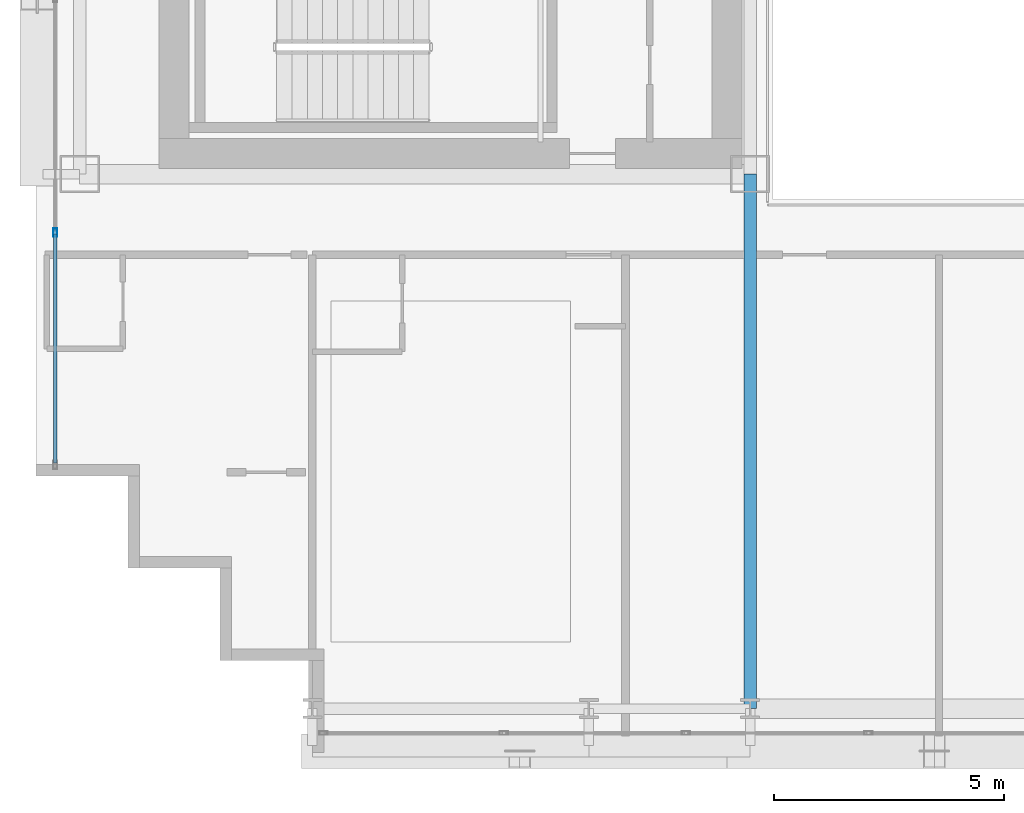
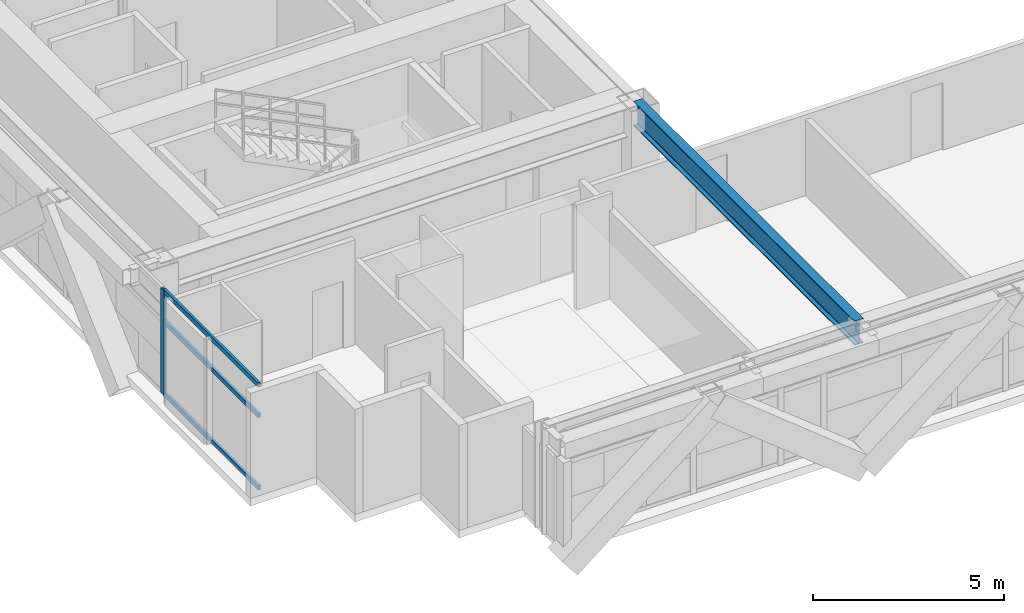
# One storey, part 3 of 35: 4 members, 1 beam, 1 element without a shape of its own.
"""IFC4 building model written with IfcOpenShell, lengths in metres."""

from ifc_helpers import new_model, si_unit, direction, frame, origin, origin_2d, place, context, subcontext, project, spatial, hollow_rectangle, i_section, extrude, source, transform, mapped, material, layer, layer_set, material_profile, profile_set, type_object, element, aggregate, save


model = new_model("IFC4")

# Units and contexts
model_context = context("Model", 3, precision=1e-05, world=origin(), true_north=direction((0.0, 1.0)))
body_context = subcontext(model_context, "Body", "Model", "MODEL_VIEW")
ifc_project = project(units=[si_unit("LENGTHUNIT", "METRE"), si_unit("AREAUNIT", "SQUARE_METRE"), si_unit("VOLUMEUNIT", "CUBIC_METRE"), si_unit("PLANEANGLEUNIT", "RADIAN"), si_unit("MASSUNIT", "GRAM", prefix="KILO")], contexts=[model_context])

# Site, building, storey
site_placement = place(None, origin())
site = spatial("IfcSite", under=ifc_project, at=site_placement, CompositionType="ELEMENT")
building_placement = place(site_placement, origin())
building = spatial("IfcBuilding", under=site, at=building_placement, Name="Ocotamira Hotel", CompositionType="ELEMENT")
storey_placement = place(building_placement, frame((0.0, 0.0, 140.39990234375)))
storey = spatial("IfcBuildingStorey", under=building, at=storey_placement, Name="L35", CompositionType="ELEMENT", Elevation=140.39990234375)

# Beam
ifc_material_1 = material(Name="Steel ASTM A992 Grade 50", Category="steel")
ifc_material_profile_1 = material_profile(ifc_material_1, i_section(OverallWidth=0.26611328125, OverallDepth=0.779052734375, WebThickness=0.0166015625, FlangeThickness=0.030029296875, FilletRadius=0.01806640625, at=origin_2d()), Name="W30X148")
ifc_profile_set_1 = profile_set([ifc_material_profile_1], Name="Steel ASTM A992 Grade 50")
beam_type = type_object("IfcBeamType", Name="BM-GIRD-W30X148", PredefinedType="BEAM", material=ifc_profile_set_1)
shared_shape_1 = source(origin(), body_context, "Body", "SweptSolid", [
    extrude(i_section(OverallWidth=0.26611328125, OverallDepth=0.779052734375, WebThickness=0.0166015625, FlangeThickness=0.030029296875, FilletRadius=0.01806640625, at=origin_2d()), origin(), (0.0, 0.0, 1.0), 11.60009765625),
])
beam_placement = place(storey_placement, frame((23.5, 2.949951171875, 2.970703125), z_axis=(0.0, 1.0, 0.0), x_axis=(-1.0, 0.0, 0.0)))
element("IfcBeam", 1, at=beam_placement, inside=storey, type_object=beam_type, Name="L35 Beam X23.5 Y2.95-14.55", PredefinedType="BEAM", context=body_context, shape_type="MappedRepresentation", body=[
    mapped(shared_shape_1, transform((0.0, 0.0, 0.0), scale=1.0)),
])

# Curtain wall, members
ifc_material_2 = material(Name="Anodised pale-metal aluminium and solar glass", Category="aluminium")
ifc_layer = layer(ifc_material_2, 0.179931640625)
ifc_layer_set = layer_set([ifc_layer], Name="Anodised pale-metal aluminium and solar glass")
curtain_wall_type = type_object("IfcCurtainWallType", Name="CW-SYS3-Z2", PredefinedType="NOTDEFINED", material=ifc_layer_set)
curtain_wall_placement = place(storey_placement, origin())
curtain_wall = element("IfcCurtainWall", 2, at=curtain_wall_placement, inside=storey, type_object=curtain_wall_type, Name="L35 Curtain Wall CW-3 CW-L35-W", PredefinedType="NOTDEFINED")
ifc_material_3 = material(Name="Anodised pale-metal aluminium 6063-T6", Category="aluminium")
ifc_material_profile_2 = material_profile(ifc_material_3, hollow_rectangle(XDim=0.074951171875, YDim=0.14990234375, WallThickness=0.006103515625, at=origin_2d()), Name="HSS150X75X6")
ifc_profile_set_2 = profile_set([ifc_material_profile_2], Name="Anodised pale-metal aluminium 6063-T6")
member_type_1 = type_object("IfcMemberType", Name="CWT-150X75", PredefinedType="USERDEFINED", material=ifc_profile_set_2)
shared_shape_2 = source(origin(), body_context, "Body", "SweptSolid", [
    extrude(hollow_rectangle(XDim=0.074951171875, YDim=0.14990234375, WallThickness=0.006103515625, at=origin_2d()), origin(), (0.0, 0.0, 1.0), 4.965576171875),
])
member_1_placement = place(storey_placement, frame((8.419921875, 8.280029296875, 0.03759765625), z_axis=(0.0, 1.0, 0.0), x_axis=(-1.0, 0.0, 0.0)))
member_1 = element("IfcMember", 3, at=member_1_placement, type_object=member_type_1, Name="CW-3 transom 1.1", ObjectType="TRANSOM", PredefinedType="USERDEFINED", context=body_context, shape_type="MappedRepresentation", body=[
    mapped(shared_shape_2, transform((0.0, 0.0, 0.0), scale=1.0)),
])
member_2_placement = place(storey_placement, frame((8.419921875, 8.280029296875, 2.35009765625), z_axis=(0.0, 1.0, 0.0), x_axis=(-1.0, 0.0, 0.0)))
member_2 = element("IfcMember", 4, at=member_2_placement, type_object=member_type_1, Name="CW-3 transom 1.2", ObjectType="TRANSOM", PredefinedType="USERDEFINED", context=body_context, shape_type="MappedRepresentation", body=[
    mapped(shared_shape_2, transform((0.0, 0.0, 0.0), scale=1.0)),
])
member_3_placement = place(storey_placement, frame((8.419921875, 8.280029296875, 3.322509765625), z_axis=(0.0, 1.0, 0.0), x_axis=(-1.0, 0.0, 0.0)))
member_3 = element("IfcMember", 5, at=member_3_placement, type_object=member_type_1, Name="CW-3 transom 1.3", ObjectType="TRANSOM", PredefinedType="USERDEFINED", context=body_context, shape_type="MappedRepresentation", body=[
    mapped(shared_shape_2, transform((0.0, 0.0, 0.0), scale=1.0)),
])
ifc_material_profile_3 = material_profile(ifc_material_3, hollow_rectangle(XDim=0.080078125, YDim=0.179931640625, WallThickness=0.006103515625, at=origin_2d()), Name="HSS180X80X6")
ifc_profile_set_3 = profile_set([ifc_material_profile_3], Name="Anodised pale-metal aluminium 6063-T6")
member_type_2 = type_object("IfcMemberType", Name="CWM-180X75", PredefinedType="MULLION", material=ifc_profile_set_3)
shared_shape_3 = source(origin(), body_context, "Body", "SweptSolid", [
    extrude(hollow_rectangle(XDim=0.080078125, YDim=0.179931640625, WallThickness=0.006103515625, at=origin_2d()), origin(), (0.0, 0.0, 1.0), 3.360107421875),
])
member_4_placement = place(storey_placement, frame((8.419921875, 13.28564453125, 0.0), z_axis=(0.0, 0.0, 1.0), x_axis=(-1.0, 0.0, 0.0)))
member_4 = element("IfcMember", 6, at=member_4_placement, type_object=member_type_2, Name="CW-3 mullion 2", PredefinedType="MULLION", context=body_context, shape_type="MappedRepresentation", body=[
    mapped(shared_shape_3, transform((0.0, 0.0, 0.0), scale=1.0)),
])
aggregate(curtain_wall, [member_4, member_1, member_2, member_3])

save(model, "model.ifc")
